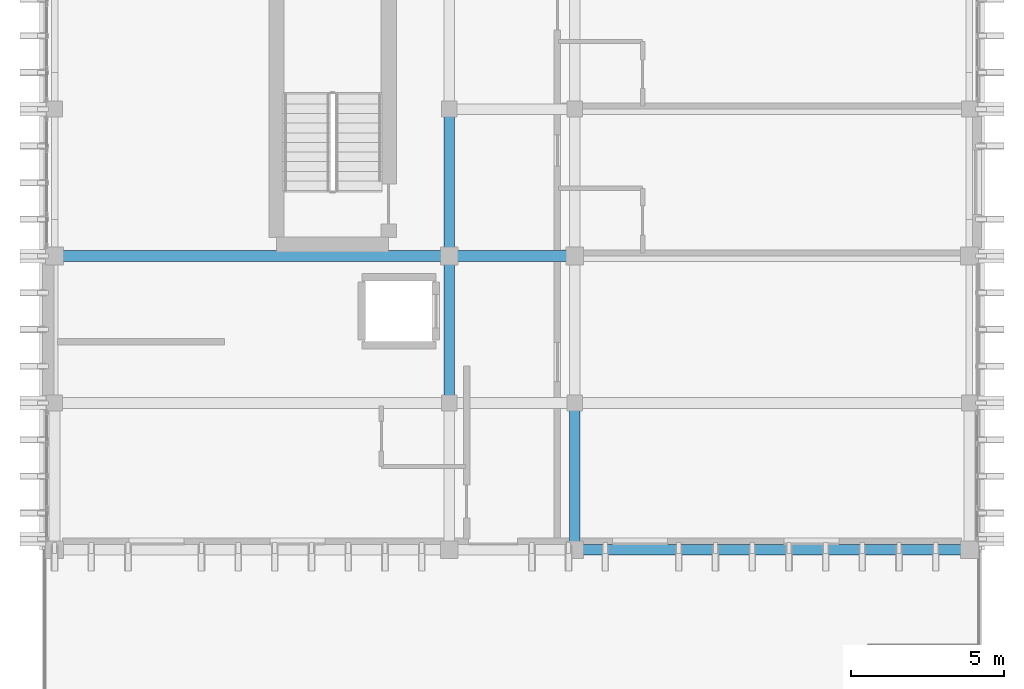
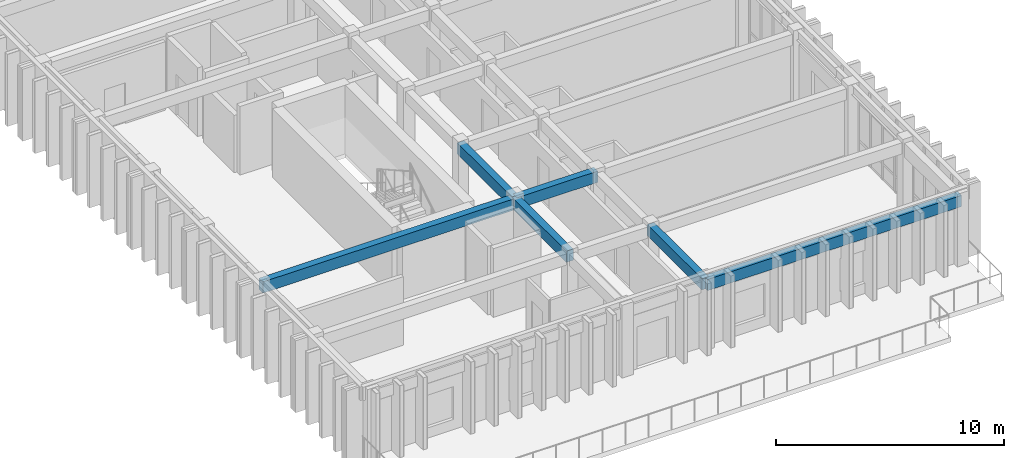
# One storey, part 5 of 49: 6 beams.
"""IFC4 building model written with IfcOpenShell, lengths in metres."""

from ifc_helpers import new_model, si_unit, direction, frame, origin, origin_2d, place, context, subcontext, project, spatial, rectangle, extrude, material, material_profile, profile_set, type_object, element, save


model = new_model("IFC4")

# Units and contexts
model_context = context("Model", 3, precision=1e-05, world=origin(), true_north=direction((0.0, 1.0)))
body_context = subcontext(model_context, "Body", "Model", "MODEL_VIEW")
ifc_project = project(units=[si_unit("LENGTHUNIT", "METRE"), si_unit("AREAUNIT", "SQUARE_METRE"), si_unit("VOLUMEUNIT", "CUBIC_METRE"), si_unit("PLANEANGLEUNIT", "RADIAN"), si_unit("MASSUNIT", "GRAM", prefix="KILO")], contexts=[model_context])

# Site, building, storey
site_placement = place(None, origin())
site = spatial("IfcSite", under=ifc_project, at=site_placement, CompositionType="ELEMENT")
building_placement = place(site_placement, origin())
building = spatial("IfcBuilding", under=site, at=building_placement, Name="Nakhvara Creek Congress Hotel", CompositionType="ELEMENT")
storey_placement = place(building_placement, frame((0.0, 0.0, 46.5)))
storey = spatial("IfcBuildingStorey", under=building, at=storey_placement, Name="L11", CompositionType="ELEMENT", Elevation=46.5)

# Beams
ifc_material = material(Name="Concrete C40/50", Category="concrete")
ifc_material_profile = material_profile(ifc_material, rectangle(XDim=0.35009765625, YDim=0.60009765625, at=origin_2d()), Name="RC-BM 350x600", Category="LoadBearing")
ifc_profile_set = profile_set([ifc_material_profile], Name="Concrete C40/50")
beam_type = type_object("IfcBeamType", Name="BM-RC-350X600", PredefinedType="BEAM", material=ifc_profile_set)
beam_1_placement = place(storey_placement, frame((149.449951171875, 76.800048828125, 3.3798828125), z_axis=(1.0, 0.0, 0.0), x_axis=(0.0, 1.0, 0.0)))
element("IfcBeam", 1, at=beam_1_placement, inside=storey, type_object=beam_type, Name="Beam B07-L11-2722", PredefinedType="BEAM", context=body_context, shape_type="SweptSolid", body=[
    extrude(rectangle(XDim=0.35009765625, YDim=0.60009765625, at=origin_2d()), origin(), (0.0, 0.0, 1.0), 12.900146484375),
])
beam_2_placement = place(storey_placement, frame((162.35009765625, 76.800048828125, 3.3798828125), z_axis=(1.0, 0.0, 0.0), x_axis=(0.0, 1.0, 0.0)))
element("IfcBeam", 2, at=beam_2_placement, inside=storey, type_object=beam_type, Name="Beam B07-L11-2728", PredefinedType="BEAM", context=body_context, shape_type="SweptSolid", body=[
    extrude(rectangle(XDim=0.35009765625, YDim=0.60009765625, at=origin_2d()), origin(), (0.0, 0.0, 1.0), 4.099853515625),
])
for number, where, z_axis, x_axis, name in (
    (3, (162.35009765625, 72.0, 3.3798828125), (0.0, 1.0, 0.0), (-1.0, 0.0, 0.0), "Beam B07-L11-2729"),
    (4, (162.35009765625, 76.800048828125, 3.3798828125), (0.0, 1.0, 0.0), (-1.0, 0.0, 0.0), "Beam B07-L11-2730"),
):
    element("IfcBeam", number, at=place(storey_placement, frame(where, z_axis=z_axis, x_axis=x_axis)), inside=storey, type_object=beam_type, Name=name, PredefinedType="BEAM", context=body_context, shape_type="SweptSolid", body=[
        extrude(rectangle(XDim=0.35009765625, YDim=0.60009765625, at=origin_2d()), origin(), (0.0, 0.0, 1.0), 4.800048828125),
    ])
beam_3_placement = place(storey_placement, frame((166.449951171875, 67.199951171875, 3.3798828125), z_axis=(1.0, 0.0, 0.0), x_axis=(0.0, 1.0, 0.0)))
element("IfcBeam", 5, at=beam_3_placement, inside=storey, type_object=beam_type, Name="Beam B07-L11-2745", PredefinedType="BEAM", context=body_context, shape_type="SweptSolid", body=[
    extrude(rectangle(XDim=0.35009765625, YDim=0.60009765625, at=origin_2d()), origin(), (0.0, 0.0, 1.0), 12.900146484375),
])
beam_4_placement = place(storey_placement, frame((166.449951171875, 67.199951171875, 3.3798828125), z_axis=(0.0, 1.0, 0.0), x_axis=(-1.0, 0.0, 0.0)))
element("IfcBeam", 6, at=beam_4_placement, inside=storey, type_object=beam_type, Name="Beam B07-L11-2746", PredefinedType="BEAM", context=body_context, shape_type="SweptSolid", body=[
    extrude(rectangle(XDim=0.35009765625, YDim=0.60009765625, at=origin_2d()), origin(), (0.0, 0.0, 1.0), 4.800048828125),
])

save(model, "model.ifc")
